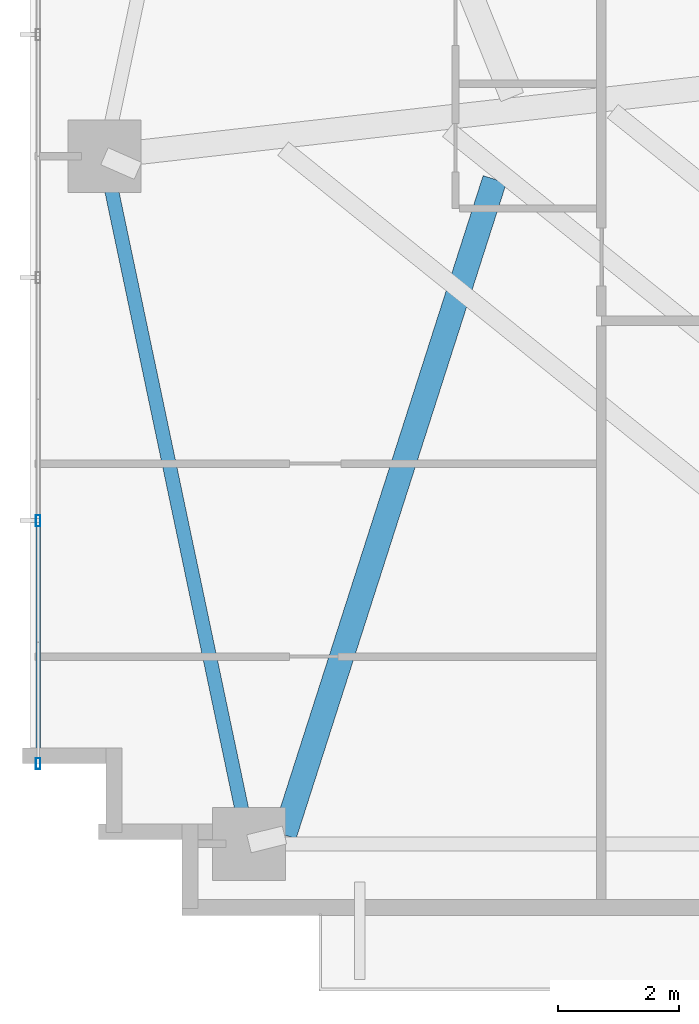
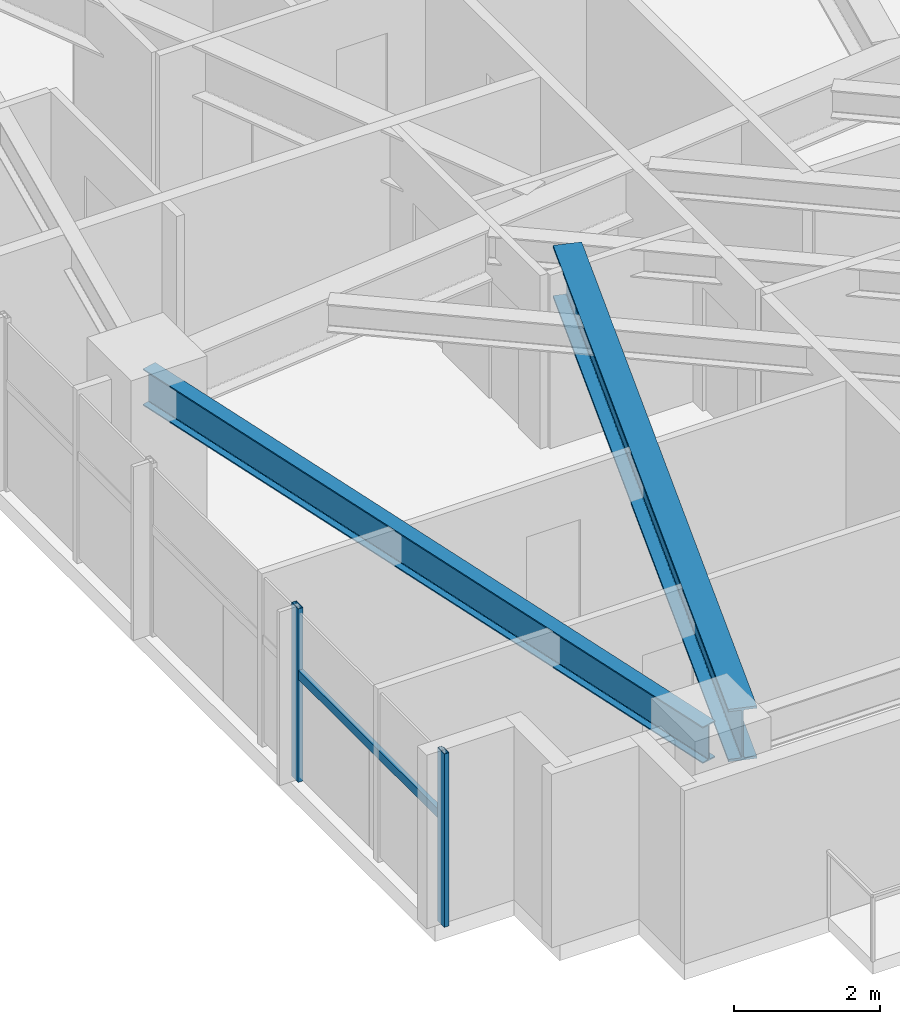
# One storey, part 2 of 25: 3 members, 2 beams, 1 element without a shape of its own.
"""IFC4 building model written with IfcOpenShell, lengths in metres."""

from ifc_helpers import new_model, si_unit, direction, frame, origin, origin_2d, place, context, subcontext, project, spatial, hollow_rectangle, i_section, extrude, source, transform, mapped, material, material_profile, profile_set, type_object, type_shapes, element, aggregate, save


model = new_model("IFC4")

# Units and contexts
model_context = context("Model", 3, precision=1e-05, world=origin(), true_north=direction((0.0, 1.0)))
body_context = subcontext(model_context, "Body", "Model", "MODEL_VIEW")
ifc_project = project(units=[si_unit("LENGTHUNIT", "METRE"), si_unit("AREAUNIT", "SQUARE_METRE"), si_unit("VOLUMEUNIT", "CUBIC_METRE"), si_unit("PLANEANGLEUNIT", "RADIAN"), si_unit("MASSUNIT", "GRAM", prefix="KILO")], contexts=[model_context])

# Site, building, storey
site_placement = place(None, origin())
site = spatial("IfcSite", under=ifc_project, at=site_placement, CompositionType="ELEMENT")
building_placement = place(site_placement, origin())
building = spatial("IfcBuilding", under=site, at=building_placement, Name="Astriad Promenade Condominiums", CompositionType="ELEMENT")
storey_placement = place(building_placement, frame((0.0, 0.0, 64.60009765625)))
storey = spatial("IfcBuildingStorey", under=building, at=storey_placement, Name="L18", CompositionType="ELEMENT", Elevation=64.60009765625)

# Beams
ifc_material_1 = material(Name="Steel ASTM A992 Grade 50", Category="steel")
ifc_material_profile_1 = material_profile(ifc_material_1, i_section(OverallWidth=0.22900390625, OverallDepth=0.612060546875, WebThickness=0.011962890625, FlangeThickness=0.01953125, FilletRadius=0.017822265625, at=origin_2d()), Name="W24X84")
ifc_profile_set_1 = profile_set([ifc_material_profile_1], Name="Steel ASTM A992 Grade 50")
beam_type_1 = type_object("IfcBeamType", Name="STEEL SPANDREL BEAM W24X84", PredefinedType="SPANDREL", material=ifc_profile_set_1)
shared_shape_1 = source(origin(), body_context, "Body", "SweptSolid", [
    extrude(i_section(OverallWidth=0.22900390625, OverallDepth=0.612060546875, WebThickness=0.011962890625, FlangeThickness=0.01953125, FilletRadius=0.017822265625, at=origin_2d()), origin(), (0.0, 0.0, 1.0), 11.487548828125),
])
type_shapes(beam_type_1, [shared_shape_1])
beam_1_placement = place(storey_placement, frame((7.0283203125, 15.160888671875, 2.593994140625), z_axis=(0.205748055501, -0.978604995725, 0.0), x_axis=(0.978604995725, 0.205748055501, 0.0)))
element("IfcBeam", 1, at=beam_1_placement, inside=storey, type_object=beam_type_1, Name="Perimeter Spandrel Beam SP-W1-L18", PredefinedType="SPANDREL", context=body_context, shape_type="MappedRepresentation", body=[
    mapped(shared_shape_1, transform((0.0, 0.0, 0.0), scale=1.0)),
])
ifc_material_profile_2 = material_profile(ifc_material_1, i_section(OverallWidth=0.4013671875, OverallDepth=0.877197265625, WebThickness=0.022216796875, FlangeThickness=0.039794921875, FilletRadius=0.02294921875, at=origin_2d()), Name="W33X263")
ifc_profile_set_2 = profile_set([ifc_material_profile_2], Name="Steel ASTM A992 Grade 50")
beam_type_2 = type_object("IfcBeamType", Name="STEEL TRANSFER CARRIER GIRDER W33X263", PredefinedType="BEAM", material=ifc_profile_set_2)
shared_shape_2 = source(origin(), body_context, "Body", "SweptSolid", [
    extrude(i_section(OverallWidth=0.4013671875, OverallDepth=0.877197265625, WebThickness=0.022216796875, FlangeThickness=0.039794921875, FilletRadius=0.02294921875, at=origin_2d()), origin(), (0.0, 0.0, 1.0), 11.336181640625),
])
type_shapes(beam_type_2, [shared_shape_2])
beam_2_placement = place(storey_placement, frame((13.445556640625, 14.819091796875, 2.461181640625), z_axis=(-0.30536565547, -0.952235168674, 0.0), x_axis=(0.952235168674, -0.30536565547, 0.0)))
element("IfcBeam", 2, at=beam_2_placement, inside=storey, type_object=beam_type_2, Name="Transfer Splice Carrier TRM-SP-PC01-L18", PredefinedType="BEAM", context=body_context, shape_type="MappedRepresentation", body=[
    mapped(shared_shape_2, transform((0.0, 0.0, 0.0), scale=1.0)),
])

# Curtain wall, members
ifc_material_2 = material(Name="Anodised aluminium Black Dark Glass Unitised", Category="aluminium")
curtain_wall_type = type_object("IfcCurtainWallType", Name="CW-B1-DARK", PredefinedType="USERDEFINED", material=ifc_material_2)
curtain_wall_placement = place(storey_placement, origin())
curtain_wall = element("IfcCurtainWall", 3, at=curtain_wall_placement, inside=storey, type_object=curtain_wall_type, Name="CW-L18-W", ObjectType="UNITISED_CURTAIN_WALL", PredefinedType="USERDEFINED")
ifc_material_3 = material(Name="Anodised aluminium 6063-T6 Black", Category="aluminium")
ifc_material_profile_3 = material_profile(ifc_material_3, hollow_rectangle(XDim=0.074951171875, YDim=0.14990234375, WallThickness=0.004150390625, at=origin_2d()), Name="ALU-TRN-75X150")
ifc_profile_set_3 = profile_set([ifc_material_profile_3], Name="Anodised aluminium 6063-T6 Black")
member_type_1 = type_object("IfcMemberType", Name="TRN-ALU-TRN-75X150", PredefinedType="USERDEFINED", material=ifc_profile_set_3)
shared_shape_3 = source(origin(), body_context, "Body", "SweptSolid", [
    extrude(hollow_rectangle(XDim=0.074951171875, YDim=0.14990234375, WallThickness=0.004150390625, at=origin_2d()), origin(), (0.0, 0.0, 1.0), 4.0),
])
type_shapes(member_type_1, [shared_shape_3])
member_1_placement = place(storey_placement, frame((5.929931640625, 5.199951171875, 1.7978515625), z_axis=(0.0, 1.0, 0.0), x_axis=(-1.0, 0.0, 0.0)))
member_1 = element("IfcMember", 4, at=member_1_placement, type_object=member_type_1, Name="CW-L18-W-TRN-00-0", ObjectType="TRANSOM", PredefinedType="USERDEFINED", context=body_context, shape_type="MappedRepresentation", body=[
    mapped(shared_shape_3, transform((0.0, 0.0, 0.0), scale=1.0)),
])
ifc_material_profile_4 = material_profile(ifc_material_3, hollow_rectangle(XDim=0.074951171875, YDim=0.18505859375, WallThickness=0.00439453125, at=origin_2d()), Name="ALU-MUL-75X185")
ifc_profile_set_4 = profile_set([ifc_material_profile_4], Name="Anodised aluminium 6063-T6 Black")
member_type_2 = type_object("IfcMemberType", Name="MUL-ALU-MUL-75X185", PredefinedType="MULLION", material=ifc_profile_set_4)
shared_shape_4 = source(origin(), body_context, "Body", "SweptSolid", [
    extrude(hollow_rectangle(XDim=0.074951171875, YDim=0.18505859375, WallThickness=0.00439453125, at=origin_2d()), origin(), (0.0, 0.0, 1.0), 2.89990234375),
])
type_shapes(member_type_2, [shared_shape_4])
member_2_placement = place(storey_placement, frame((5.929931640625, 5.199951171875, 0.0), z_axis=(0.0, 0.0, 1.0), x_axis=(1.0, 0.0, 0.0)))
member_2 = element("IfcMember", 5, at=member_2_placement, type_object=member_type_2, Name="CW-L18-W-MUL-00", PredefinedType="MULLION", context=body_context, shape_type="MappedRepresentation", body=[
    mapped(shared_shape_4, transform((0.0, 0.0, 0.0), scale=1.0)),
])
member_3_placement = place(storey_placement, frame((5.929931640625, 9.199951171875, 0.0), z_axis=(0.0, 0.0, 1.0), x_axis=(1.0, 0.0, 0.0)))
member_3 = element("IfcMember", 6, at=member_3_placement, type_object=member_type_2, Name="CW-L18-W-MUL-01", PredefinedType="MULLION", context=body_context, shape_type="MappedRepresentation", body=[
    mapped(shared_shape_4, transform((0.0, 0.0, 0.0), scale=1.0)),
])
aggregate(curtain_wall, [member_2, member_3, member_1])

save(model, "model.ifc")
